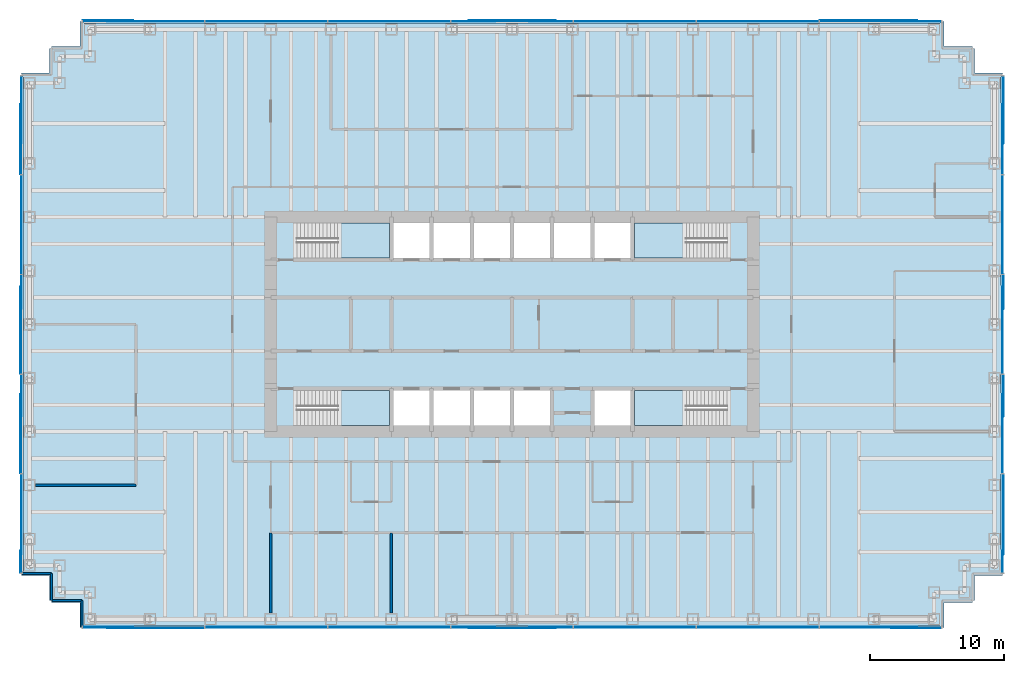
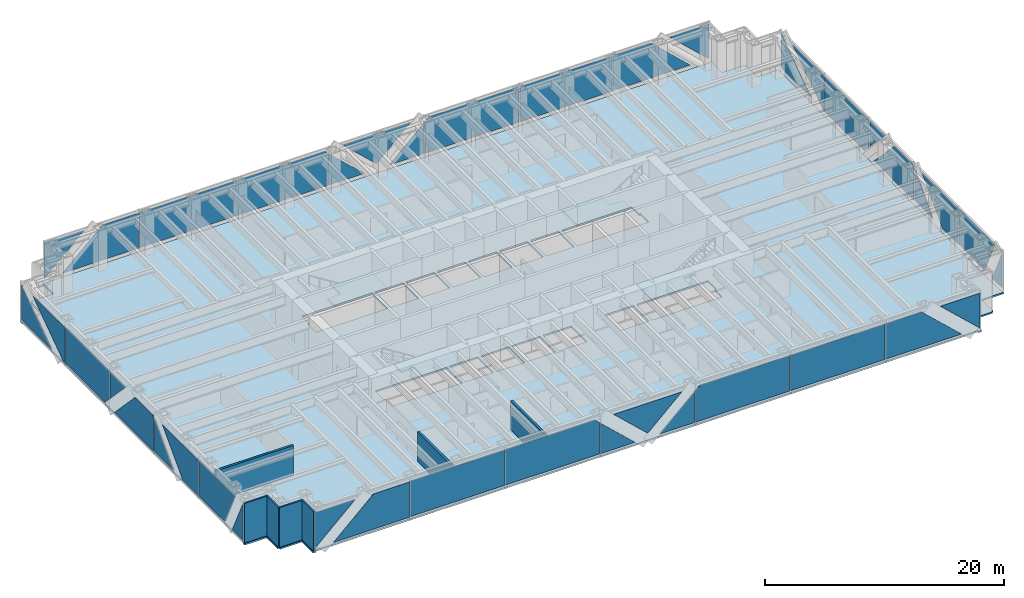
# One storey, part 10 of 15: 40 plates, 7 walls, 5 slabs, 8 elements without a shape of their own.
"""IFC4 building model written with IfcOpenShell, lengths in metres."""

from ifc_helpers import new_model, si_unit, direction, frame, frame_2d, origin, origin_2d, place, context, subcontext, project, spatial, polyline, rectangle, outline, extrude, material, layer, layer_set, type_object, element, aggregate, save


model = new_model("IFC4")

# Units and contexts
model_context = context("Model", 3, precision=1e-05, world=origin(), true_north=direction((0.0, 1.0)))
body_context = subcontext(model_context, "Body", "Model", "MODEL_VIEW")
ifc_project = project(units=[si_unit("LENGTHUNIT", "METRE"), si_unit("AREAUNIT", "SQUARE_METRE"), si_unit("VOLUMEUNIT", "CUBIC_METRE"), si_unit("PLANEANGLEUNIT", "RADIAN"), si_unit("MASSUNIT", "GRAM", prefix="KILO")], contexts=[model_context])

# Site, building, storey
site_placement = place(None, origin())
site = spatial("IfcSite", under=ifc_project, at=site_placement, CompositionType="ELEMENT")
building_placement = place(site_placement, origin())
building = spatial("IfcBuilding", under=site, at=building_placement, Name="Rheinbord Bourse Tower", CompositionType="ELEMENT")
storey_placement = place(building_placement, frame((0.0, 0.0, 155.10009765625)))
storey = spatial("IfcBuildingStorey", under=building, at=storey_placement, Name="L34", CompositionType="ELEMENT", Elevation=155.10009765625)

# Slab
ifc_material_1 = material(Name="Concrete C30/37", Category="concrete")
ifc_layer_1 = layer(ifc_material_1, 0.159912109375)
ifc_layer_set_1 = layer_set([ifc_layer_1], Name="COMPOSITE FLOOR SLAB 160")
slab_type_1 = type_object("IfcSlabType", Name="COMPOSITE FLOOR SLAB 160", PredefinedType="FLOOR", material=ifc_layer_set_1)
slab_1_placement = place(storey_placement, frame((0.0, 0.0, -0.16015625)))
element("IfcSlab", 1, at=slab_1_placement, inside=storey, type_object=slab_type_1, Name="Floor slab L34", PredefinedType="FLOOR", context=body_context, shape_type="SweptSolid", body=[
    extrude(outline(polyline([(1.64990234375, 3.39990234375), (1.5, 3.39990234375), (1.5, 5.25), (-0.60009765625, 5.25), (-0.60009765625, 5.550048828125), (-0.5, 5.550048828125), (-0.5, 42.449951171875), (-0.60009765625, 42.449951171875), (-0.60009765625, 42.75), (1.5, 42.75), (1.5, 44.60009765625), (1.64990234375, 44.60009765625), (1.64990234375, 44.75), (3.75, 44.75), (3.75, 46.60009765625), (4.050048828125, 46.60009765625), (4.050048828125, 46.5), (67.949951171875, 46.5), (67.949951171875, 46.60009765625), (68.25, 46.60009765625), (68.25, 44.75), (70.35009765625, 44.75), (70.35009765625, 44.60009765625), (70.5, 44.60009765625), (70.5, 42.75), (72.60009765625, 42.75), (72.60009765625, 42.449951171875), (72.5, 42.449951171875), (72.5, 5.550048828125), (72.60009765625, 5.550048828125), (72.60009765625, 5.25), (70.5, 5.25), (70.5, 3.39990234375), (70.35009765625, 3.39990234375), (70.35009765625, 3.25), (68.25, 3.25), (68.25, 1.39990234375), (67.949951171875, 1.39990234375), (67.949951171875, 1.5), (4.050048828125, 1.5), (4.050048828125, 1.39990234375), (3.75, 1.39990234375), (3.75, 3.25), (1.64990234375, 3.25), (1.64990234375, 3.39990234375)]), holes=[polyline([(19.949951171875, 19.050048828125), (26.85009765625, 19.050048828125), (26.85009765625, 16.449951171875), (20.10009765625, 16.449951171875), (20.10009765625, 17.64990234375), (19.949951171875, 17.64990234375), (19.949951171875, 19.050048828125)]), polyline([(26.85009765625, 31.550048828125), (26.85009765625, 28.949951171875), (19.949951171875, 28.949951171875), (19.949951171875, 30.35009765625), (20.10009765625, 30.35009765625), (20.10009765625, 31.550048828125), (26.85009765625, 31.550048828125)]), polyline([(45.14990234375, 16.449951171875), (45.14990234375, 19.050048828125), (52.050048828125, 19.050048828125), (52.050048828125, 17.64990234375), (51.89990234375, 17.64990234375), (51.89990234375, 16.449951171875), (45.14990234375, 16.449951171875)]), polyline([(52.050048828125, 28.949951171875), (45.14990234375, 28.949951171875), (45.14990234375, 31.550048828125), (51.89990234375, 31.550048828125), (51.89990234375, 30.35009765625), (52.050048828125, 30.35009765625), (52.050048828125, 28.949951171875)]), polyline([(27.14990234375, 16.449951171875), (27.14990234375, 19.050048828125), (29.85009765625, 19.050048828125), (29.85009765625, 16.449951171875), (27.14990234375, 16.449951171875)]), polyline([(27.14990234375, 28.949951171875), (27.14990234375, 31.550048828125), (29.85009765625, 31.550048828125), (29.85009765625, 28.949951171875), (27.14990234375, 28.949951171875)]), polyline([(30.14990234375, 16.449951171875), (30.14990234375, 19.050048828125), (32.85009765625, 19.050048828125), (32.85009765625, 16.449951171875), (30.14990234375, 16.449951171875)]), polyline([(30.14990234375, 28.949951171875), (30.14990234375, 31.550048828125), (32.85009765625, 31.550048828125), (32.85009765625, 28.949951171875), (30.14990234375, 28.949951171875)]), polyline([(33.14990234375, 16.449951171875), (33.14990234375, 19.050048828125), (35.85009765625, 19.050048828125), (35.85009765625, 16.449951171875), (33.14990234375, 16.449951171875)]), polyline([(33.14990234375, 28.949951171875), (33.14990234375, 31.550048828125), (35.85009765625, 31.550048828125), (35.85009765625, 28.949951171875), (33.14990234375, 28.949951171875)]), polyline([(36.14990234375, 16.449951171875), (36.14990234375, 19.050048828125), (38.85009765625, 19.050048828125), (38.85009765625, 16.449951171875), (36.14990234375, 16.449951171875)]), polyline([(36.14990234375, 28.949951171875), (36.14990234375, 31.550048828125), (38.85009765625, 31.550048828125), (38.85009765625, 28.949951171875), (36.14990234375, 28.949951171875)]), polyline([(39.14990234375, 28.949951171875), (39.14990234375, 31.550048828125), (41.85009765625, 31.550048828125), (41.85009765625, 28.949951171875), (39.14990234375, 28.949951171875)]), polyline([(42.14990234375, 16.449951171875), (42.14990234375, 19.050048828125), (44.85009765625, 19.050048828125), (44.85009765625, 16.449951171875), (42.14990234375, 16.449951171875)]), polyline([(42.14990234375, 28.949951171875), (42.14990234375, 31.550048828125), (44.85009765625, 31.550048828125), (44.85009765625, 28.949951171875), (42.14990234375, 28.949951171875)])]), origin(), (0.0, 0.0, 1.0), 0.16015625),
])

# Curtain wall, plates
ifc_material_2 = material(Name="Dark glass and black aluminium", Category="aluminium")
curtain_wall_type = type_object("IfcCurtainWallType", Name="CW2 DARK GLASS CURTAIN WALL", PredefinedType="USERDEFINED", material=ifc_material_2)
curtain_wall_1_placement = place(storey_placement, origin())
curtain_wall_1 = element("IfcCurtainWall", 2, at=curtain_wall_1_placement, inside=storey, type_object=curtain_wall_type, Name="Curtain wall CW2 S L34", ObjectType="UNITISED CURTAIN WALL", PredefinedType="USERDEFINED")
ifc_material_3 = material(Name="Dark tinted triple insulating glass", Category="glass")
ifc_layer_2 = layer(ifc_material_3, 0.050048828125)
ifc_layer_set_2 = layer_set([ifc_layer_2], Name="CW2 DARK GLASS PANEL")
plate_type = type_object("IfcPlateType", Name="CW2 DARK GLASS PANEL", PredefinedType="CURTAIN_PANEL", material=ifc_layer_set_2)
plate_1_placement = place(storey_placement, frame((17.6572265625, 1.39990234375, 0.2998046875), z_axis=(0.0, 0.0, 1.0), x_axis=(1.0, 0.0, 0.0)))
plate_1 = element("IfcPlate", 3, at=plate_1_placement, type_object=plate_type, Name="CW2 panel 2.1", PredefinedType="CURTAIN_PANEL", context=body_context, shape_type="SweptSolid", body=[
    extrude(rectangle(XDim=9.101318359375, YDim=0.050048828125, at=origin_2d()), origin(), (0.0, 0.0, 1.0), 3.60009765625),
])
plate_2_placement = place(storey_placement, frame((54.3427734375, 1.39990234375, 0.2998046875), z_axis=(0.0, 0.0, 1.0), x_axis=(1.0, 0.0, 0.0)))
plate_2 = element("IfcPlate", 4, at=plate_2_placement, type_object=plate_type, Name="CW2 panel 6.1", PredefinedType="CURTAIN_PANEL", context=body_context, shape_type="SweptSolid", body=[
    extrude(rectangle(XDim=9.101318359375, YDim=0.050048828125, at=origin_2d()), origin(), (0.0, 0.0, 1.0), 3.60009765625),
])
plate_3_placement = place(storey_placement, frame((3.969970703125, 1.375, 3.89990234375), z_axis=(0.0, 1.0, 0.0), x_axis=(1.0, 0.0, 0.0)))
plate_3 = element("IfcPlate", 5, at=plate_3_placement, type_object=plate_type, Name="CW2 glass facet 1", PredefinedType="CURTAIN_PANEL", context=body_context, shape_type="SweptSolid", body=[
    extrude(outline(polyline([(0.0, 0.0), (3.822021484375, 0.0), (0.0, 3.56689453125), (0.0, 0.0)])), origin(), (0.0, 0.0, 1.0), 0.050048828125),
])
plate_4_placement = place(storey_placement, frame((13.035888671875, 1.31982421875, 3.89990234375), z_axis=(0.0, 1.0, 0.0), x_axis=(0.0, 0.0, -1.0)))
plate_4 = element("IfcPlate", 6, at=plate_4_placement, type_object=plate_type, Name="CW2 glass facet 2", PredefinedType="CURTAIN_PANEL", context=body_context, shape_type="SweptSolid", body=[
    extrude(outline(polyline([(0.0, 0.0), (3.60009765625, 0.0), (3.60009765625, 7.327880859375), (0.0, 3.470947265625), (0.0, 0.0)])), origin(), (0.0, 0.0, 1.0), 0.050048828125),
])
plate_5_placement = place(storey_placement, frame((31.37890625, 1.375, 0.2998046875), z_axis=(0.0, 1.0, 0.0), x_axis=(-1.0, 0.0, 0.0)))
plate_5 = element("IfcPlate", 7, at=plate_5_placement, type_object=plate_type, Name="CW2 glass facet 1", PredefinedType="CURTAIN_PANEL", context=body_context, shape_type="SweptSolid", body=[
    extrude(outline(polyline([(0.0, 0.0), (9.100830078125, 0.0), (9.100830078125, 3.60009765625), (0.44384765625, 3.60009765625), (0.0, 3.18505859375), (0.0, 0.0)])), origin(), (0.0, 0.0, 1.0), 0.050048828125),
])
plate_6_placement = place(storey_placement, frame((31.448974609375, 1.375, 0.2998046875), z_axis=(0.0, 1.0, 0.0), x_axis=(0.0, 0.0, 1.0)))
plate_6 = element("IfcPlate", 8, at=plate_6_placement, type_object=plate_type, Name="CW2 glass facet 1", PredefinedType="CURTAIN_PANEL", context=body_context, shape_type="SweptSolid", body=[
    extrude(outline(polyline([(0.0, 0.0), (3.1201171875, 0.0), (0.0, 3.343017578125), (0.0, 0.0)])), origin(), (0.0, 0.0, 1.0), 0.050048828125),
])
plate_7_placement = place(storey_placement, frame((39.2919921875, 1.31982421875, 3.89990234375), z_axis=(0.0, 1.0, 0.0), x_axis=(-0.731111160705, 0.0, -0.682258360661)))
plate_7 = element("IfcPlate", 9, at=plate_7_placement, type_object=plate_type, Name="CW2 glass facet 2", PredefinedType="CURTAIN_PANEL", context=body_context, shape_type="SweptSolid", body=[
    extrude(outline(polyline([(0.0, 0.0), (4.502685546875, 0.0), (4.813720703125, 4.491943359375), (0.0, 0.0)])), origin(), (0.0, 0.0, 1.0), 0.050048828125),
])
plate_8_placement = place(storey_placement, frame((40.551025390625, 1.375, 0.2998046875), z_axis=(0.0, 1.0, 0.0), x_axis=(-1.0, 0.0, 0.0)))
plate_8 = element("IfcPlate", 10, at=plate_8_placement, type_object=plate_type, Name="CW2 glass facet 3", PredefinedType="CURTAIN_PANEL", context=body_context, shape_type="SweptSolid", body=[
    extrude(outline(polyline([(0.0, 0.0), (3.343017578125, 0.0), (0.0, 3.1201171875), (0.0, 0.0)])), origin(), (0.0, 0.0, 1.0), 0.050048828125),
])
plate_9_placement = place(storey_placement, frame((49.721923828125, 1.375, 3.89990234375), z_axis=(0.0, 1.0, 0.0), x_axis=(0.0, 0.0, -1.0)))
plate_9 = element("IfcPlate", 11, at=plate_9_placement, type_object=plate_type, Name="CW2 glass facet 1", PredefinedType="CURTAIN_PANEL", context=body_context, shape_type="SweptSolid", body=[
    extrude(outline(polyline([(0.0, 0.0), (3.60009765625, 0.0), (3.60009765625, 9.100830078125), (0.4150390625, 9.100830078125), (0.0, 8.656982421875), (0.0, 0.0)])), origin(), (0.0, 0.0, 1.0), 0.050048828125),
])
plate_10_placement = place(storey_placement, frame((58.964111328125, 1.375, 0.2998046875), z_axis=(0.0, 1.0, 0.0), x_axis=(0.0, 0.0, 1.0)))
plate_10 = element("IfcPlate", 12, at=plate_10_placement, type_object=plate_type, Name="CW2 glass facet 1", PredefinedType="CURTAIN_PANEL", context=body_context, shape_type="SweptSolid", body=[
    extrude(outline(polyline([(0.0, 0.0), (3.60009765625, 0.0), (3.60009765625, 3.470947265625), (0.0, 7.327880859375), (0.0, 0.0)])), origin(), (0.0, 0.0, 1.0), 0.050048828125),
])
plate_11_placement = place(storey_placement, frame((68.030029296875, 1.31982421875, 3.89990234375), z_axis=(0.0, 1.0, 0.0), x_axis=(0.0, 0.0, -1.0)))
plate_11 = element("IfcPlate", 13, at=plate_11_placement, type_object=plate_type, Name="CW2 glass facet 2", PredefinedType="CURTAIN_PANEL", context=body_context, shape_type="SweptSolid", body=[
    extrude(outline(polyline([(0.0, 0.0), (3.56689453125, 0.0), (0.0, 3.822021484375), (0.0, 0.0)])), origin(), (0.0, 0.0, 1.0), 0.050048828125),
])
aggregate(curtain_wall_1, [plate_1, plate_2, plate_3, plate_4, plate_5, plate_6, plate_7, plate_8, plate_9, plate_10, plate_11])

curtain_wall_2_placement = place(storey_placement, origin())
curtain_wall_2 = element("IfcCurtainWall", 14, at=curtain_wall_2_placement, inside=storey, type_object=curtain_wall_type, Name="Curtain wall CW2 E L34", ObjectType="UNITISED CURTAIN WALL", PredefinedType="USERDEFINED")
plate_12_placement = place(storey_placement, frame((72.625, 5.469970703125, 0.2998046875), z_axis=(-1.0, 0.0, 0.0), x_axis=(0.0, 0.0, 1.0)))
plate_12 = element("IfcPlate", 15, at=plate_12_placement, type_object=plate_type, Name="CW2 glass facet 1", PredefinedType="CURTAIN_PANEL", context=body_context, shape_type="SweptSolid", body=[
    extrude(outline(polyline([(0.0, 0.0), (3.60009765625, 0.0), (3.60009765625, 0.0029296875), (0.0, 1.717041015625), (0.0, 0.0)])), origin(), (0.0, 0.0, 1.0), 0.050048828125),
])
plate_13_placement = place(storey_placement, frame((72.68017578125, 12.804931640625, 3.89990234375), z_axis=(-1.0, 0.0, 0.0), x_axis=(0.0, 0.0, -1.0)))
plate_13 = element("IfcPlate", 16, at=plate_13_placement, type_object=plate_type, Name="CW2 glass facet 2", PredefinedType="CURTAIN_PANEL", context=body_context, shape_type="SweptSolid", body=[
    extrude(outline(polyline([(0.0, 0.0), (3.60009765625, 0.0), (3.60009765625, 4.27783203125), (0.0, 5.991943359375), (0.0, 0.0)])), origin(), (0.0, 0.0, 1.0), 0.050048828125),
])
plate_14_placement = place(storey_placement, frame((72.625, 12.875, 0.2998046875), z_axis=(-1.0, 0.0, 0.0), x_axis=(0.0, 0.0, 1.0)))
plate_14 = element("IfcPlate", 17, at=plate_14_placement, type_object=plate_type, Name="CW2 glass facet 1", PredefinedType="CURTAIN_PANEL", context=body_context, shape_type="SweptSolid", body=[
    extrude(outline(polyline([(0.0, 0.0), (3.60009765625, 0.0), (3.60009765625, 6.00390625), (0.0, 2.574951171875), (0.0, 0.0)])), origin(), (0.0, 0.0, 1.0), 0.050048828125),
])
plate_15_placement = place(storey_placement, frame((72.68017578125, 20.2451171875, 0.2998046875), z_axis=(-1.0, 0.0, 0.0), x_axis=(0.0, -1.0, 0.0)))
plate_15 = element("IfcPlate", 18, at=plate_15_placement, type_object=plate_type, Name="CW2 glass facet 2", PredefinedType="CURTAIN_PANEL", context=body_context, shape_type="SweptSolid", body=[
    extrude(outline(polyline([(0.0, 0.0), (3.1240234375, 0.0), (0.0, 3.280029296875), (0.0, 0.0)])), origin(), (0.0, 0.0, 1.0), 0.050048828125),
])
plate_16_placement = place(storey_placement, frame((72.625, 20.31494140625, 0.2998046875), z_axis=(-1.0, 0.0, 0.0), x_axis=(0.0, 0.0, 1.0)))
plate_16 = element("IfcPlate", 19, at=plate_16_placement, type_object=plate_type, Name="CW2 glass facet 1", PredefinedType="CURTAIN_PANEL", context=body_context, shape_type="SweptSolid", body=[
    extrude(outline(polyline([(0.0, 0.0), (3.35400390625, 0.0), (3.60009765625, 0.235107421875), (3.60009765625, 3.135009765625), (0.0, 6.56396484375), (0.0, 0.0)])), origin(), (0.0, 0.0, 1.0), 0.050048828125),
])
plate_17_placement = place(storey_placement, frame((72.68017578125, 27.68505859375, 3.89990234375), z_axis=(-1.0, 0.0, 0.0), x_axis=(0.0, 0.0, -1.0)))
plate_17 = element("IfcPlate", 20, at=plate_17_placement, type_object=plate_type, Name="CW2 glass facet 2", PredefinedType="CURTAIN_PANEL", context=body_context, shape_type="SweptSolid", body=[
    extrude(outline(polyline([(0.0, 0.0), (2.69189453125, 0.0), (0.0, 2.56396484375), (0.0, 0.0)])), origin(), (0.0, 0.0, 1.0), 0.050048828125),
])
plate_18_placement = place(storey_placement, frame((72.625, 27.7548828125, 3.89990234375), z_axis=(-1.0, 0.0, 0.0), x_axis=(0.0, 1.0, 0.0)))
plate_18 = element("IfcPlate", 21, at=plate_18_placement, type_object=plate_type, Name="CW2 glass facet 1", PredefinedType="CURTAIN_PANEL", context=body_context, shape_type="SweptSolid", body=[
    extrude(outline(polyline([(0.0, 0.0), (7.3701171875, 0.0), (7.3701171875, 3.60009765625), (0.795166015625, 3.60009765625), (0.0, 2.764892578125), (0.0, 0.0)])), origin(), (0.0, 0.0, 1.0), 0.050048828125),
])
plate_19_placement = place(storey_placement, frame((72.625, 35.195068359375, 0.2998046875), z_axis=(-1.0, 0.0, 0.0), x_axis=(0.0, 0.0, 1.0)))
plate_19 = element("IfcPlate", 22, at=plate_19_placement, type_object=plate_type, Name="CW2 glass facet 1", PredefinedType="CURTAIN_PANEL", context=body_context, shape_type="SweptSolid", body=[
    extrude(outline(polyline([(0.0, 0.0), (3.60009765625, 0.0), (3.60009765625, 5.321044921875), (0.0, 0.178955078125), (0.0, 0.0)])), origin(), (0.0, 0.0, 1.0), 0.050048828125),
])
plate_20_placement = place(storey_placement, frame((72.68017578125, 42.530029296875, 0.2998046875), z_axis=(-1.0, 0.0, 0.0), x_axis=(0.0, -1.0, 0.0)))
plate_20 = element("IfcPlate", 23, at=plate_20_placement, type_object=plate_type, Name="CW2 glass facet 2", PredefinedType="CURTAIN_PANEL", context=body_context, shape_type="SweptSolid", body=[
    extrude(outline(polyline([(0.0, 0.0), (5.046142578125, 0.0), (0.0, 3.533203125), (0.0, 0.0)])), origin(), (0.0, 0.0, 1.0), 0.050048828125),
])
aggregate(curtain_wall_2, [plate_12, plate_13, plate_14, plate_15, plate_16, plate_17, plate_18, plate_19, plate_20])

curtain_wall_3_placement = place(storey_placement, origin())
curtain_wall_3 = element("IfcCurtainWall", 24, at=curtain_wall_3_placement, inside=storey, type_object=curtain_wall_type, Name="Curtain wall CW2 N L34", ObjectType="UNITISED CURTAIN WALL", PredefinedType="USERDEFINED")
plate_21_placement = place(storey_placement, frame((54.3427734375, 46.60009765625, 0.2998046875), z_axis=(0.0, 0.0, 1.0), x_axis=(-1.0, 0.0, 0.0)))
plate_21 = element("IfcPlate", 25, at=plate_21_placement, type_object=plate_type, Name="CW2 panel 2.1", PredefinedType="CURTAIN_PANEL", context=body_context, shape_type="SweptSolid", body=[
    extrude(rectangle(XDim=9.101318359375, YDim=0.050048828125, at=origin_2d()), origin(), (0.0, 0.0, 1.0), 3.60009765625),
])
plate_22_placement = place(storey_placement, frame((17.6572265625, 46.60009765625, 0.2998046875), z_axis=(0.0, 0.0, 1.0), x_axis=(-1.0, 0.0, 0.0)))
plate_22 = element("IfcPlate", 26, at=plate_22_placement, type_object=plate_type, Name="CW2 panel 6.1", PredefinedType="CURTAIN_PANEL", context=body_context, shape_type="SweptSolid", body=[
    extrude(rectangle(XDim=9.101318359375, YDim=0.050048828125, at=origin_2d()), origin(), (0.0, 0.0, 1.0), 3.60009765625),
])
plate_23_placement = place(storey_placement, frame((68.030029296875, 46.625, 3.89990234375), z_axis=(0.0, -1.0, 0.0), x_axis=(-1.0, 0.0, 0.0)))
plate_23 = element("IfcPlate", 27, at=plate_23_placement, type_object=plate_type, Name="CW2 glass facet 1", PredefinedType="CURTAIN_PANEL", context=body_context, shape_type="SweptSolid", body=[
    extrude(outline(polyline([(0.0, 0.0), (3.822021484375, 0.0), (0.0, 3.56689453125), (0.0, 0.0)])), origin(), (0.0, 0.0, 1.0), 0.050048828125),
])
plate_24_placement = place(storey_placement, frame((58.964111328125, 46.68017578125, 3.89990234375), z_axis=(0.0, -1.0, 0.0), x_axis=(0.0, 0.0, -1.0)))
plate_24 = element("IfcPlate", 28, at=plate_24_placement, type_object=plate_type, Name="CW2 glass facet 2", PredefinedType="CURTAIN_PANEL", context=body_context, shape_type="SweptSolid", body=[
    extrude(outline(polyline([(0.0, 0.0), (3.60009765625, 0.0), (3.60009765625, 7.327880859375), (0.0, 3.470947265625), (0.0, 0.0)])), origin(), (0.0, 0.0, 1.0), 0.050048828125),
])
plate_25_placement = place(storey_placement, frame((40.62109375, 46.625, 0.2998046875), z_axis=(0.0, -1.0, 0.0), x_axis=(1.0, 0.0, 0.0)))
plate_25 = element("IfcPlate", 29, at=plate_25_placement, type_object=plate_type, Name="CW2 glass facet 1", PredefinedType="CURTAIN_PANEL", context=body_context, shape_type="SweptSolid", body=[
    extrude(outline(polyline([(0.0, 0.0), (9.100830078125, 0.0), (9.100830078125, 3.60009765625), (0.44384765625, 3.60009765625), (0.0, 3.18505859375), (0.0, 0.0)])), origin(), (0.0, 0.0, 1.0), 0.050048828125),
])
plate_26_placement = place(storey_placement, frame((40.551025390625, 46.625, 0.2998046875), z_axis=(0.0, -1.0, 0.0), x_axis=(0.0, 0.0, 1.0)))
plate_26 = element("IfcPlate", 30, at=plate_26_placement, type_object=plate_type, Name="CW2 glass facet 1", PredefinedType="CURTAIN_PANEL", context=body_context, shape_type="SweptSolid", body=[
    extrude(outline(polyline([(0.0, 0.0), (3.1201171875, 0.0), (0.0, 3.343017578125), (0.0, 0.0)])), origin(), (0.0, 0.0, 1.0), 0.050048828125),
])
plate_27_placement = place(storey_placement, frame((32.7080078125, 46.68017578125, 3.89990234375), z_axis=(0.0, -1.0, 0.0), x_axis=(0.731111160705, 0.0, -0.682258360661)))
plate_27 = element("IfcPlate", 31, at=plate_27_placement, type_object=plate_type, Name="CW2 glass facet 2", PredefinedType="CURTAIN_PANEL", context=body_context, shape_type="SweptSolid", body=[
    extrude(outline(polyline([(0.0, 0.0), (4.502685546875, 0.0), (4.813720703125, 4.491943359375), (0.0, 0.0)])), origin(), (0.0, 0.0, 1.0), 0.050048828125),
])
plate_28_placement = place(storey_placement, frame((31.448974609375, 46.625, 0.2998046875), z_axis=(0.0, -1.0, 0.0), x_axis=(1.0, 0.0, 0.0)))
plate_28 = element("IfcPlate", 32, at=plate_28_placement, type_object=plate_type, Name="CW2 glass facet 3", PredefinedType="CURTAIN_PANEL", context=body_context, shape_type="SweptSolid", body=[
    extrude(outline(polyline([(0.0, 0.0), (3.343017578125, 0.0), (0.0, 3.1201171875), (0.0, 0.0)])), origin(), (0.0, 0.0, 1.0), 0.050048828125),
])
plate_29_placement = place(storey_placement, frame((22.278076171875, 46.625, 3.89990234375), z_axis=(0.0, -1.0, 0.0), x_axis=(0.0, 0.0, -1.0)))
plate_29 = element("IfcPlate", 33, at=plate_29_placement, type_object=plate_type, Name="CW2 glass facet 1", PredefinedType="CURTAIN_PANEL", context=body_context, shape_type="SweptSolid", body=[
    extrude(outline(polyline([(0.0, 0.0), (3.60009765625, 0.0), (3.60009765625, 9.100830078125), (0.4150390625, 9.100830078125), (0.0, 8.656982421875), (0.0, 0.0)])), origin(), (0.0, 0.0, 1.0), 0.050048828125),
])
plate_30_placement = place(storey_placement, frame((13.035888671875, 46.625, 0.2998046875), z_axis=(0.0, -1.0, 0.0), x_axis=(0.0, 0.0, 1.0)))
plate_30 = element("IfcPlate", 34, at=plate_30_placement, type_object=plate_type, Name="CW2 glass facet 1", PredefinedType="CURTAIN_PANEL", context=body_context, shape_type="SweptSolid", body=[
    extrude(outline(polyline([(0.0, 0.0), (3.60009765625, 0.0), (3.60009765625, 3.470947265625), (0.0, 7.327880859375), (0.0, 0.0)])), origin(), (0.0, 0.0, 1.0), 0.050048828125),
])
plate_31_placement = place(storey_placement, frame((3.969970703125, 46.68017578125, 3.89990234375), z_axis=(0.0, -1.0, 0.0), x_axis=(0.0, 0.0, -1.0)))
plate_31 = element("IfcPlate", 35, at=plate_31_placement, type_object=plate_type, Name="CW2 glass facet 2", PredefinedType="CURTAIN_PANEL", context=body_context, shape_type="SweptSolid", body=[
    extrude(outline(polyline([(0.0, 0.0), (3.56689453125, 0.0), (0.0, 3.822021484375), (0.0, 0.0)])), origin(), (0.0, 0.0, 1.0), 0.050048828125),
])
aggregate(curtain_wall_3, [plate_21, plate_22, plate_23, plate_24, plate_25, plate_26, plate_27, plate_28, plate_29, plate_30, plate_31])

curtain_wall_4_placement = place(storey_placement, origin())
curtain_wall_4 = element("IfcCurtainWall", 36, at=curtain_wall_4_placement, inside=storey, type_object=curtain_wall_type, Name="Curtain wall CW2 W L34", ObjectType="UNITISED CURTAIN WALL", PredefinedType="USERDEFINED")
plate_32_placement = place(storey_placement, frame((-0.625, 42.530029296875, 0.2998046875), z_axis=(1.0, 0.0, 0.0), x_axis=(0.0, 0.0, 1.0)))
plate_32 = element("IfcPlate", 37, at=plate_32_placement, type_object=plate_type, Name="CW2 glass facet 1", PredefinedType="CURTAIN_PANEL", context=body_context, shape_type="SweptSolid", body=[
    extrude(outline(polyline([(0.0, 0.0), (3.533203125, 0.0), (0.0, 5.046142578125), (0.0, 0.0)])), origin(), (0.0, 0.0, 1.0), 0.050048828125),
])
plate_33_placement = place(storey_placement, frame((-0.68017578125, 35.195068359375, 3.89990234375), z_axis=(1.0, 0.0, 0.0), x_axis=(0.0, 0.0, -1.0)))
plate_33 = element("IfcPlate", 38, at=plate_33_placement, type_object=plate_type, Name="CW2 glass facet 2", PredefinedType="CURTAIN_PANEL", context=body_context, shape_type="SweptSolid", body=[
    extrude(outline(polyline([(0.0, 0.0), (3.60009765625, 0.0), (3.60009765625, 0.178955078125), (0.0, 5.321044921875), (0.0, 0.0)])), origin(), (0.0, 0.0, 1.0), 0.050048828125),
])
plate_34_placement = place(storey_placement, frame((-0.625, 35.125, 0.2998046875), z_axis=(1.0, 0.0, 0.0), x_axis=(0.0, 0.0, 1.0)))
plate_34 = element("IfcPlate", 39, at=plate_34_placement, type_object=plate_type, Name="CW2 glass facet 1", PredefinedType="CURTAIN_PANEL", context=body_context, shape_type="SweptSolid", body=[
    extrude(outline(polyline([(0.0, 0.0), (3.60009765625, 0.0), (3.60009765625, 7.3701171875), (0.833984375, 7.3701171875), (0.0, 6.574951171875), (0.0, 0.0)])), origin(), (0.0, 0.0, 1.0), 0.050048828125),
])
plate_35_placement = place(storey_placement, frame((-0.625, 27.68505859375, 3.89990234375), z_axis=(1.0, 0.0, 0.0), x_axis=(0.0, -1.0, 0.0)))
plate_35 = element("IfcPlate", 40, at=plate_35_placement, type_object=plate_type, Name="CW2 glass facet 1", PredefinedType="CURTAIN_PANEL", context=body_context, shape_type="SweptSolid", body=[
    extrude(outline(polyline([(0.0, 0.0), (2.56396484375, 0.0), (0.0, 2.69189453125), (0.0, 0.0)])), origin(), (0.0, 0.0, 1.0), 0.050048828125),
])
plate_36_placement = place(storey_placement, frame((-0.68017578125, 20.31494140625, 0.2998046875), z_axis=(1.0, 0.0, 0.0), x_axis=(0.0, 1.0, 0.0)))
plate_36 = element("IfcPlate", 41, at=plate_36_placement, type_object=plate_type, Name="CW2 glass facet 2", PredefinedType="CURTAIN_PANEL", context=body_context, shape_type="SweptSolid", body=[
    extrude(outline(polyline([(0.0, 0.0), (6.56396484375, 0.0), (3.135009765625, 3.60009765625), (0.235107421875, 3.60009765625), (0.0, 3.35400390625), (0.0, 0.0)])), origin(), (0.0, 0.0, 1.0), 0.050048828125),
])
plate_37_placement = place(storey_placement, frame((-0.625, 20.2451171875, 0.2998046875), z_axis=(1.0, 0.0, 0.0), x_axis=(0.0, 0.0, 1.0)))
plate_37 = element("IfcPlate", 42, at=plate_37_placement, type_object=plate_type, Name="CW2 glass facet 1", PredefinedType="CURTAIN_PANEL", context=body_context, shape_type="SweptSolid", body=[
    extrude(outline(polyline([(0.0, 0.0), (3.280029296875, 0.0), (0.0, 3.1240234375), (0.0, 0.0)])), origin(), (0.0, 0.0, 1.0), 0.050048828125),
])
plate_38_placement = place(storey_placement, frame((-0.68017578125, 12.875, 3.89990234375), z_axis=(1.0, 0.0, 0.0), x_axis=(0.0, 0.0, -1.0)))
plate_38 = element("IfcPlate", 43, at=plate_38_placement, type_object=plate_type, Name="CW2 glass facet 2", PredefinedType="CURTAIN_PANEL", context=body_context, shape_type="SweptSolid", body=[
    extrude(outline(polyline([(0.0, 0.0), (3.60009765625, 0.0), (3.60009765625, 2.574951171875), (0.0, 6.00390625), (0.0, 0.0)])), origin(), (0.0, 0.0, 1.0), 0.050048828125),
])
plate_39_placement = place(storey_placement, frame((-0.625, 12.804931640625, 0.2998046875), z_axis=(1.0, 0.0, 0.0), x_axis=(0.0, 0.0, 1.0)))
plate_39 = element("IfcPlate", 44, at=plate_39_placement, type_object=plate_type, Name="CW2 glass facet 1", PredefinedType="CURTAIN_PANEL", context=body_context, shape_type="SweptSolid", body=[
    extrude(outline(polyline([(0.0, 0.0), (3.60009765625, 0.0), (3.60009765625, 5.991943359375), (0.0, 4.27783203125), (0.0, 0.0)])), origin(), (0.0, 0.0, 1.0), 0.050048828125),
])
plate_40_placement = place(storey_placement, frame((-0.68017578125, 5.469970703125, 3.89990234375), z_axis=(1.0, 0.0, 0.0), x_axis=(0.0, 0.0, -1.0)))
plate_40 = element("IfcPlate", 45, at=plate_40_placement, type_object=plate_type, Name="CW2 glass facet 2", PredefinedType="CURTAIN_PANEL", context=body_context, shape_type="SweptSolid", body=[
    extrude(outline(polyline([(0.0, 0.0), (3.60009765625, 0.0), (3.60009765625, 1.717041015625), (0.0, 0.0029296875), (0.0, 0.0)])), origin(), (0.0, 0.0, 1.0), 0.050048828125),
])
aggregate(curtain_wall_4, [plate_32, plate_33, plate_34, plate_35, plate_36, plate_37, plate_38, plate_39, plate_40])

# Stair, slab
ifc_material_4 = material(Name="Concrete C30/37", Category="concrete")
stair_type = type_object("IfcStairType", Name="CORE STAIR HALF TURN 4200", PredefinedType="HALF_TURN_STAIR", material=ifc_material_4)
stair_1_placement = place(storey_placement, origin())
stair_1 = element("IfcStair", 46, at=stair_1_placement, inside=storey, type_object=stair_type, Name="Stair ST1 L34, type CS6", PredefinedType="HALF_TURN_STAIR")
ifc_material_5 = material(Name="Concrete C30/37", Category="concrete")
ifc_layer_3 = layer(ifc_material_5, 0.199951171875)
ifc_layer_set_3 = layer_set([ifc_layer_3], Name="STAIR LANDING 200")
slab_type_2 = type_object("IfcSlabType", Name="STAIR LANDING 200", PredefinedType="LANDING", material=ifc_layer_set_3)
slab_2_placement = place(storey_placement, frame((0.0, 0.0, 1.89990234375)))
slab_2 = element("IfcSlab", 47, at=slab_2_placement, type_object=slab_type_2, Name="Half landing ST1 L34", PredefinedType="LANDING", context=body_context, shape_type="SweptSolid", body=[
    extrude(outline(polyline([(23.030029296875, 16.449951171875), (26.85009765625, 16.449951171875), (26.85009765625, 19.050048828125), (21.748046875, 19.050048828125), (21.748046875, 17.85009765625), (23.030029296875, 17.85009765625), (23.030029296875, 16.449951171875)])), origin(), (0.0, 0.0, 1.0), 0.199951171875),
])
aggregate(stair_1, [slab_2])

stair_2_placement = place(storey_placement, origin())
stair_2 = element("IfcStair", 48, at=stair_2_placement, inside=storey, type_object=stair_type, Name="Stair ST2 L34, type CS6", PredefinedType="HALF_TURN_STAIR")
slab_3_placement = place(storey_placement, frame((0.0, 0.0, 1.89990234375)))
slab_3 = element("IfcSlab", 49, at=slab_3_placement, type_object=slab_type_2, Name="Half landing ST2 L34", PredefinedType="LANDING", context=body_context, shape_type="SweptSolid", body=[
    extrude(outline(polyline([(21.748046875, 28.949951171875), (26.85009765625, 28.949951171875), (26.85009765625, 31.550048828125), (23.030029296875, 31.550048828125), (23.030029296875, 30.14990234375), (21.748046875, 30.14990234375), (21.748046875, 28.949951171875)])), origin(), (0.0, 0.0, 1.0), 0.199951171875),
])
aggregate(stair_2, [slab_3])

stair_3_placement = place(storey_placement, origin())
stair_3 = element("IfcStair", 50, at=stair_3_placement, inside=storey, type_object=stair_type, Name="Stair ST3 L34, type CS6", PredefinedType="HALF_TURN_STAIR")
slab_4_placement = place(storey_placement, frame((0.0, 0.0, 1.89990234375)))
slab_4 = element("IfcSlab", 51, at=slab_4_placement, type_object=slab_type_2, Name="Half landing ST3 L34", PredefinedType="LANDING", context=body_context, shape_type="SweptSolid", body=[
    extrude(outline(polyline([(45.14990234375, 16.449951171875), (48.969970703125, 16.449951171875), (48.969970703125, 17.85009765625), (50.251953125, 17.85009765625), (50.251953125, 19.050048828125), (45.14990234375, 19.050048828125), (45.14990234375, 16.449951171875)])), origin(), (0.0, 0.0, 1.0), 0.199951171875),
])
aggregate(stair_3, [slab_4])

stair_4_placement = place(storey_placement, origin())
stair_4 = element("IfcStair", 52, at=stair_4_placement, inside=storey, type_object=stair_type, Name="Stair ST4 L34, type CS6", PredefinedType="HALF_TURN_STAIR")
slab_5_placement = place(storey_placement, frame((0.0, 0.0, 1.89990234375)))
slab_5 = element("IfcSlab", 53, at=slab_5_placement, type_object=slab_type_2, Name="Half landing ST4 L34", PredefinedType="LANDING", context=body_context, shape_type="SweptSolid", body=[
    extrude(outline(polyline([(45.14990234375, 28.949951171875), (50.251953125, 28.949951171875), (50.251953125, 30.14990234375), (48.969970703125, 30.14990234375), (48.969970703125, 31.550048828125), (45.14990234375, 31.550048828125), (45.14990234375, 28.949951171875)])), origin(), (0.0, 0.0, 1.0), 0.199951171875),
])
aggregate(stair_4, [slab_5])

# Walls
ifc_material_6 = material(Name="Acoustic gypsum board partition", Category="gypsum board")
ifc_layer_4 = layer(ifc_material_6, 0.199951171875)
ifc_layer_set_4 = layer_set([ifc_layer_4], Name="ACOUSTIC PARTITION 200")
wall_type_1 = type_object("IfcWallType", Name="ACOUSTIC PARTITION 200", PredefinedType="PARTITIONING", material=ifc_layer_set_4)
wall_1_placement = place(storey_placement, frame((0.449951171875, 12.0, 0.0), z_axis=(0.0, 0.0, 1.0), x_axis=(1.0, 0.0, 0.0)))
element("IfcWall", 54, at=wall_1_placement, inside=storey, type_object=wall_type_1, Name="Partition L34-04", PredefinedType="PARTITIONING", context=body_context, shape_type="SweptSolid", body=[
    extrude(rectangle(XDim=7.5, YDim=0.199951171875, at=frame_2d((3.75, 0.0))), origin(), (0.0, 0.0, 1.0), 3.0),
])
for number, where, z_axis, x_axis, name in (
    (55, (18.0, 2.449951171875, 0.0), (0.0, 0.0, 1.0), (0.0, 1.0, 0.0), "Partition L34-16"),
    (56, (27.0, 2.449951171875, 0.0), (0.0, 0.0, 1.0), (0.0, 1.0, 0.0), "Partition L34-21"),
):
    element("IfcWall", number, at=place(storey_placement, frame(where, z_axis=z_axis, x_axis=x_axis)), inside=storey, type_object=wall_type_1, Name=name, PredefinedType="PARTITIONING", context=body_context, shape_type="SweptSolid", body=[
        extrude(rectangle(XDim=6.0, YDim=0.199951171875, at=frame_2d((3.0, 0.0))), origin(), (0.0, 0.0, 1.0), 3.0),
    ])
ifc_material_7 = material(Name="Black metal rainscreen panel", Category="aluminium")
ifc_layer_5 = layer(ifc_material_7, 0.14990234375)
ifc_layer_set_5 = layer_set([ifc_layer_5], Name="CORNER PIER CLADDING 150")
wall_type_2 = type_object("IfcWallType", Name="CORNER PIER CLADDING 150", PredefinedType="ELEMENTEDWALL", material=ifc_layer_set_5)
wall_2_placement = place(storey_placement, frame((-0.60009765625, 5.39990234375, 0.0), z_axis=(0.0, 0.0, 1.0), x_axis=(1.0, 0.0, 0.0)))
element("IfcWall", 57, at=wall_2_placement, inside=storey, type_object=wall_type_2, Name="Corner pier cladding L34 17", PredefinedType="ELEMENTEDWALL", context=body_context, shape_type="SweptSolid", body=[
    extrude(rectangle(XDim=2.25, YDim=0.14990234375, at=frame_2d((1.125, 0.0))), origin(), (0.0, 0.0, 1.0), 4.039794921875),
])
wall_3_placement = place(storey_placement, frame((1.64990234375, 5.39990234375, 0.0), z_axis=(0.0, 0.0, 1.0), x_axis=(0.0, -1.0, 0.0)))
element("IfcWall", 58, at=wall_3_placement, inside=storey, type_object=wall_type_2, Name="Corner pier cladding L34 18", PredefinedType="ELEMENTEDWALL", context=body_context, shape_type="SweptSolid", body=[
    extrude(rectangle(XDim=2.0, YDim=0.14990234375, at=frame_2d((1.0, 0.0))), origin(), (0.0, 0.0, 1.0), 4.039794921875),
])
wall_4_placement = place(storey_placement, frame((1.64990234375, 3.39990234375, 0.0), z_axis=(0.0, 0.0, 1.0), x_axis=(1.0, 0.0, 0.0)))
element("IfcWall", 59, at=wall_4_placement, inside=storey, type_object=wall_type_2, Name="Corner pier cladding L34 19", PredefinedType="ELEMENTEDWALL", context=body_context, shape_type="SweptSolid", body=[
    extrude(rectangle(XDim=2.25, YDim=0.14990234375, at=frame_2d((1.125, 0.0))), origin(), (0.0, 0.0, 1.0), 4.039794921875),
])
wall_5_placement = place(storey_placement, frame((3.89990234375, 3.39990234375, 0.0), z_axis=(0.0, 0.0, 1.0), x_axis=(0.0, -1.0, 0.0)))
element("IfcWall", 60, at=wall_5_placement, inside=storey, type_object=wall_type_2, Name="Corner pier cladding L34 20", PredefinedType="ELEMENTEDWALL", context=body_context, shape_type="SweptSolid", body=[
    extrude(rectangle(XDim=2.0, YDim=0.14990234375, at=frame_2d((1.0, 0.0))), origin(), (0.0, 0.0, 1.0), 4.039794921875),
])

save(model, "model.ifc")
